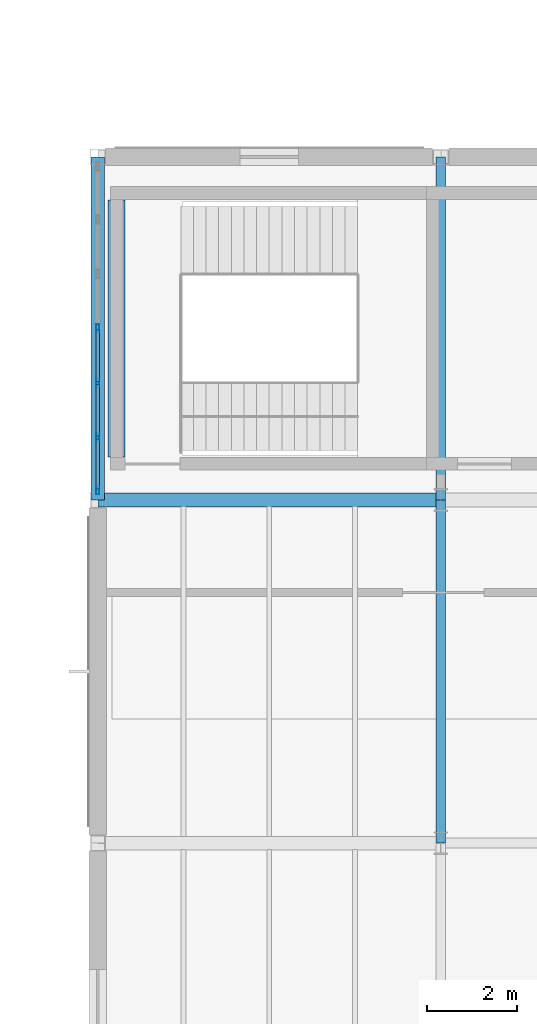
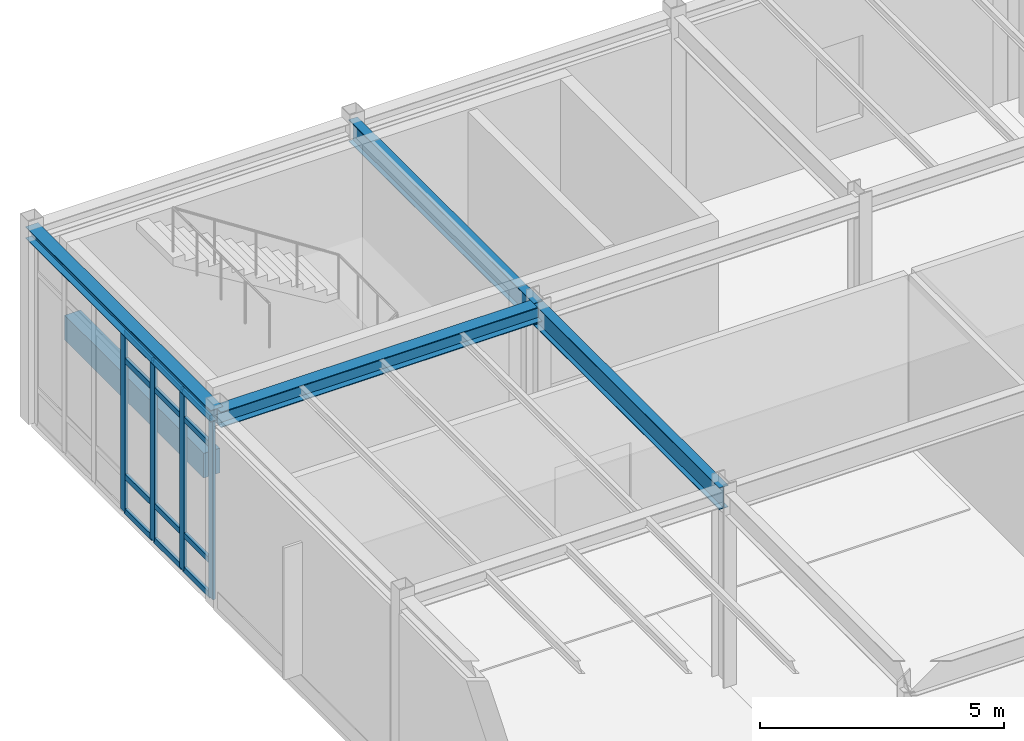
# One storey, part 51 of 109: 16 members, 5 beams, 1 element without a shape of its own.
"""IFC4 building model written with IfcOpenShell, lengths in metres."""

from ifc_helpers import new_model, si_unit, direction, frame, origin, origin_2d, place, context, subcontext, project, spatial, rectangle, hollow_rectangle, i_section, extrude, material, layer, layer_set, material_profile, profile_set, type_object, element, aggregate, save


model = new_model("IFC4")

# Units and contexts
model_context = context("Model", 3, precision=1e-05, world=origin(), true_north=direction((0.0, 1.0)))
body_context = subcontext(model_context, "Body", "Model", "MODEL_VIEW")
ifc_project = project(units=[si_unit("LENGTHUNIT", "METRE"), si_unit("AREAUNIT", "SQUARE_METRE"), si_unit("VOLUMEUNIT", "CUBIC_METRE"), si_unit("PLANEANGLEUNIT", "RADIAN"), si_unit("MASSUNIT", "GRAM", prefix="KILO")], contexts=[model_context])

# Site, building, storey
site_placement = place(None, origin())
site = spatial("IfcSite", under=ifc_project, at=site_placement, CompositionType="ELEMENT")
building_placement = place(site_placement, origin())
building = spatial("IfcBuilding", under=site, at=building_placement, Name="Montecoro Central Library", CompositionType="ELEMENT")
storey_placement = place(building_placement, origin())
storey = spatial("IfcBuildingStorey", under=building, at=storey_placement, Name="L00", CompositionType="ELEMENT", Elevation=0.0)

# Beams
ifc_material_1 = material(Name="Steel S355", Category="steel")
ifc_material_profile_1 = material_profile(ifc_material_1, i_section(OverallWidth=0.300048828125, OverallDepth=0.389892578125, WebThickness=0.010986328125, FlangeThickness=0.01904296875, at=origin_2d()), Name="HEA 400")
ifc_profile_set_1 = profile_set([ifc_material_profile_1], Name="Steel S355")
beam_type_1 = type_object("IfcBeamType", Name="BM-G-HEA400", PredefinedType="USERDEFINED", material=ifc_profile_set_1)
beam_1_placement = place(storey_placement, frame((5.0048828125, 103.800048828125, 4.64990234375), z_axis=(1.0, 0.0, 0.0), x_axis=(0.0, 1.0, 0.0)))
element("IfcBeam", 1, at=beam_1_placement, inside=storey, type_object=beam_type_1, Name="V4-L00-BX-12-P", ObjectType="GIRDER", PredefinedType="USERDEFINED", context=body_context, shape_type="SweptSolid", body=[
    extrude(i_section(OverallWidth=0.300048828125, OverallDepth=0.389892578125, WebThickness=0.010986328125, FlangeThickness=0.01904296875, at=origin_2d()), origin(), (0.0, 0.0, 1.0), 7.590087890625),
])
ifc_material_2 = material(Name="Steel S355J2", Category="steel")
ifc_material_profile_2 = material_profile(ifc_material_2, i_section(OverallWidth=0.2099609375, OverallDepth=0.550048828125, WebThickness=0.010986328125, FlangeThickness=0.01708984375, at=origin_2d()), Name="IPE 550")
ifc_profile_set_2 = profile_set([ifc_material_profile_2], Name="Steel S355J2")
beam_type_2 = type_object("IfcBeamType", Name="BM-G-IPE550", PredefinedType="USERDEFINED", material=ifc_profile_set_2)
beam_2_placement = place(storey_placement, frame((12.60009765625, 96.205078125, 4.570068359375), z_axis=(0.0, 1.0, 0.0), x_axis=(-1.0, 0.0, 0.0)))
element("IfcBeam", 2, at=beam_2_placement, inside=storey, type_object=beam_type_2, Name="V4-L00-BY-2-NP", ObjectType="GIRDER", PredefinedType="USERDEFINED", context=body_context, shape_type="SweptSolid", body=[
    extrude(i_section(OverallWidth=0.2099609375, OverallDepth=0.550048828125, WebThickness=0.010986328125, FlangeThickness=0.01708984375, at=origin_2d()), origin(), (0.0, 0.0, 1.0), 7.58984375),
])
beam_3_placement = place(storey_placement, frame((12.60009765625, 103.804931640625, 4.570068359375), z_axis=(0.0, 1.0, 0.0), x_axis=(-1.0, 0.0, 0.0)))
element("IfcBeam", 3, at=beam_3_placement, inside=storey, type_object=beam_type_2, Name="V4-L00-BY-2-PQ", ObjectType="GIRDER", PredefinedType="USERDEFINED", context=body_context, shape_type="SweptSolid", body=[
    extrude(i_section(OverallWidth=0.2099609375, OverallDepth=0.550048828125, WebThickness=0.010986328125, FlangeThickness=0.01708984375, at=origin_2d()), origin(), (0.0, 0.0, 1.0), 7.590087890625),
])
ifc_material_3 = material(Name="Concrete C35/45", Category="concrete")
ifc_material_profile_3 = material_profile(ifc_material_3, rectangle(XDim=0.3798828125, YDim=0.6201171875, at=origin_2d()), Name="RC LNT 620x380")
ifc_profile_set_3 = profile_set([ifc_material_profile_3], Name="Concrete C35/45")
beam_type_3 = type_object("IfcBeamType", Name="BM-LN-RC05", PredefinedType="LINTEL", material=ifc_profile_set_3)
beam_4_placement = place(storey_placement, frame((5.419921875, 104.75, 2.760009765625), z_axis=(0.0, 1.0, 0.0), x_axis=(-1.0, 0.0, 0.0)))
element("IfcBeam", 4, at=beam_4_placement, inside=storey, type_object=beam_type_3, Name="C5-L00-LNT", PredefinedType="LINTEL", context=body_context, shape_type="SweptSolid", body=[
    extrude(rectangle(XDim=0.3798828125, YDim=0.6201171875, at=origin_2d()), origin(), (0.0, 0.0, 1.0), 5.699951171875),
])
ifc_material_profile_4 = material_profile(ifc_material_1, i_section(OverallWidth=0.300048828125, OverallDepth=0.2900390625, WebThickness=0.008544921875, FlangeThickness=0.013916015625, at=origin_2d()), Name="HEA 300")
ifc_profile_set_4 = profile_set([ifc_material_profile_4], Name="Steel S355")
beam_type_4 = type_object("IfcBeamType", Name="BM-SP-HEA300", PredefinedType="SPANDREL", material=ifc_profile_set_4)
beam_5_placement = place(storey_placement, frame((5.0, 103.804931640625, 4.699951171875), z_axis=(0.0, 1.0, 0.0), x_axis=(-1.0, 0.0, 0.0)))
element("IfcBeam", 5, at=beam_5_placement, inside=storey, type_object=beam_type_4, Name="V4-L00-BY-1-PQ", PredefinedType="SPANDREL", context=body_context, shape_type="SweptSolid", body=[
    extrude(i_section(OverallWidth=0.300048828125, OverallDepth=0.2900390625, WebThickness=0.008544921875, FlangeThickness=0.013916015625, at=origin_2d()), origin(), (0.0, 0.0, 1.0), 7.590087890625),
])

# Curtain wall, members
ifc_material_4 = material(Name="Bronze-anodised aluminium and low-E glazing", Category="aluminium")
ifc_layer = layer(ifc_material_4, 0.159912109375)
ifc_layer_set = layer_set([ifc_layer], Name="Bronze-anodised aluminium and low-E glazing")
curtain_wall_type = type_object("IfcCurtainWallType", Name="CWT-041", PredefinedType="NOTDEFINED", material=ifc_layer_set)
curtain_wall_placement = place(storey_placement, origin())
curtain_wall = element("IfcCurtainWall", 6, at=curtain_wall_placement, inside=storey, type_object=curtain_wall_type, Name="V4-L00-CW-W4", PredefinedType="NOTDEFINED")
ifc_material_5 = material(Name="Bronze-anodised aluminium", Category="aluminium")
ifc_material_profile_5 = material_profile(ifc_material_5, hollow_rectangle(XDim=0.070068359375, YDim=0.179931640625, WallThickness=0.0048828125, at=origin_2d()), Name="CWM 180x70x5.0")
ifc_profile_set_5 = profile_set([ifc_material_profile_5], Name="Bronze-anodised aluminium")
member_type_1 = type_object("IfcMemberType", Name="CWM-BRZ-70", PredefinedType="MULLION", material=ifc_profile_set_5)
member_1_placement = place(storey_placement, frame((5.0, 107.60009765625, 0.0), z_axis=(0.0, 0.0, 1.0), x_axis=(1.0, 0.0, 0.0)))
member_1 = element("IfcMember", 7, at=member_1_placement, type_object=member_type_1, Name="CW-041 mullion 4", PredefinedType="MULLION", context=body_context, shape_type="SweptSolid", body=[
    extrude(hollow_rectangle(XDim=0.070068359375, YDim=0.179931640625, WallThickness=0.0048828125, at=origin_2d()), origin(), (0.0, 0.0, 1.0), 4.5),
])
member_2_placement = place(storey_placement, frame((5.0, 106.392578125, 0.0), z_axis=(0.0, 0.0, 1.0), x_axis=(1.0, 0.0, 0.0)))
member_2 = element("IfcMember", 8, at=member_2_placement, type_object=member_type_1, Name="CW-041 mullion 5", PredefinedType="MULLION", context=body_context, shape_type="SweptSolid", body=[
    extrude(hollow_rectangle(XDim=0.070068359375, YDim=0.179931640625, WallThickness=0.0048828125, at=origin_2d()), origin(), (0.0, 0.0, 1.0), 4.5),
])
member_3_placement = place(storey_placement, frame((5.0, 105.185302734375, 0.0), z_axis=(0.0, 0.0, 1.0), x_axis=(1.0, 0.0, 0.0)))
member_3 = element("IfcMember", 9, at=member_3_placement, type_object=member_type_1, Name="CW-041 mullion 6", PredefinedType="MULLION", context=body_context, shape_type="SweptSolid", body=[
    extrude(hollow_rectangle(XDim=0.070068359375, YDim=0.179931640625, WallThickness=0.0048828125, at=origin_2d()), origin(), (0.0, 0.0, 1.0), 4.5),
])
member_4_placement = place(storey_placement, frame((5.0, 104.012939453125, 0.0), z_axis=(0.0, 0.0, 1.0), x_axis=(1.0, 0.0, 0.0)))
member_4 = element("IfcMember", 10, at=member_4_placement, type_object=member_type_1, Name="CW-041 mullion 7", PredefinedType="MULLION", context=body_context, shape_type="SweptSolid", body=[
    extrude(hollow_rectangle(XDim=0.070068359375, YDim=0.179931640625, WallThickness=0.0048828125, at=origin_2d()), origin(), (0.0, 0.0, 1.0), 4.5),
])
ifc_material_profile_6 = material_profile(ifc_material_5, hollow_rectangle(XDim=0.070068359375, YDim=0.139892578125, WallThickness=0.00390625, at=origin_2d()), Name="CWT 140x70x4.0")
ifc_profile_set_6 = profile_set([ifc_material_profile_6], Name="Bronze-anodised aluminium")
member_type_2 = type_object("IfcMemberType", Name="CWT-BRZ-70", PredefinedType="USERDEFINED", material=ifc_profile_set_6)
member_5_placement = place(storey_placement, frame((5.0, 107.56494140625, 0.034912109375), z_axis=(0.0, -1.0, 0.0), x_axis=(1.0, 0.0, 0.0)))
member_5 = element("IfcMember", 11, at=member_5_placement, type_object=member_type_2, Name="CW-041 transom 4.1", ObjectType="TRANSOM", PredefinedType="USERDEFINED", context=body_context, shape_type="SweptSolid", body=[
    extrude(hollow_rectangle(XDim=0.070068359375, YDim=0.139892578125, WallThickness=0.00390625, at=origin_2d()), origin(), (0.0, 0.0, 1.0), 1.13720703125),
])
member_6_placement = place(storey_placement, frame((5.0, 107.56494140625, 0.89990234375), z_axis=(0.0, -1.0, 0.0), x_axis=(1.0, 0.0, 0.0)))
member_6 = element("IfcMember", 12, at=member_6_placement, type_object=member_type_2, Name="CW-041 transom 4.2", ObjectType="TRANSOM", PredefinedType="USERDEFINED", context=body_context, shape_type="SweptSolid", body=[
    extrude(hollow_rectangle(XDim=0.070068359375, YDim=0.139892578125, WallThickness=0.00390625, at=origin_2d()), origin(), (0.0, 0.0, 1.0), 1.13720703125),
])
member_7_placement = place(storey_placement, frame((5.0, 107.56494140625, 3.800048828125), z_axis=(0.0, -1.0, 0.0), x_axis=(1.0, 0.0, 0.0)))
member_7 = element("IfcMember", 13, at=member_7_placement, type_object=member_type_2, Name="CW-041 transom 4.3", ObjectType="TRANSOM", PredefinedType="USERDEFINED", context=body_context, shape_type="SweptSolid", body=[
    extrude(hollow_rectangle(XDim=0.070068359375, YDim=0.139892578125, WallThickness=0.00390625, at=origin_2d()), origin(), (0.0, 0.0, 1.0), 1.13720703125),
])
member_8_placement = place(storey_placement, frame((5.0, 107.56494140625, 4.465087890625), z_axis=(0.0, -1.0, 0.0), x_axis=(1.0, 0.0, 0.0)))
member_8 = element("IfcMember", 14, at=member_8_placement, type_object=member_type_2, Name="CW-041 transom 4.4", ObjectType="TRANSOM", PredefinedType="USERDEFINED", context=body_context, shape_type="SweptSolid", body=[
    extrude(hollow_rectangle(XDim=0.070068359375, YDim=0.139892578125, WallThickness=0.00390625, at=origin_2d()), origin(), (0.0, 0.0, 1.0), 1.13720703125),
])
member_9_placement = place(storey_placement, frame((5.0, 106.357666015625, 0.034912109375), z_axis=(0.0, -1.0, 0.0), x_axis=(1.0, 0.0, 0.0)))
member_9 = element("IfcMember", 15, at=member_9_placement, type_object=member_type_2, Name="CW-041 transom 5.1", ObjectType="TRANSOM", PredefinedType="USERDEFINED", context=body_context, shape_type="SweptSolid", body=[
    extrude(hollow_rectangle(XDim=0.070068359375, YDim=0.139892578125, WallThickness=0.00390625, at=origin_2d()), origin(), (0.0, 0.0, 1.0), 1.137451171875),
])
member_10_placement = place(storey_placement, frame((5.0, 106.357666015625, 0.89990234375), z_axis=(0.0, -1.0, 0.0), x_axis=(1.0, 0.0, 0.0)))
member_10 = element("IfcMember", 16, at=member_10_placement, type_object=member_type_2, Name="CW-041 transom 5.2", ObjectType="TRANSOM", PredefinedType="USERDEFINED", context=body_context, shape_type="SweptSolid", body=[
    extrude(hollow_rectangle(XDim=0.070068359375, YDim=0.139892578125, WallThickness=0.00390625, at=origin_2d()), origin(), (0.0, 0.0, 1.0), 1.137451171875),
])
member_11_placement = place(storey_placement, frame((5.0, 106.357666015625, 3.800048828125), z_axis=(0.0, -1.0, 0.0), x_axis=(1.0, 0.0, 0.0)))
member_11 = element("IfcMember", 17, at=member_11_placement, type_object=member_type_2, Name="CW-041 transom 5.3", ObjectType="TRANSOM", PredefinedType="USERDEFINED", context=body_context, shape_type="SweptSolid", body=[
    extrude(hollow_rectangle(XDim=0.070068359375, YDim=0.139892578125, WallThickness=0.00390625, at=origin_2d()), origin(), (0.0, 0.0, 1.0), 1.137451171875),
])
member_12_placement = place(storey_placement, frame((5.0, 106.357666015625, 4.465087890625), z_axis=(0.0, -1.0, 0.0), x_axis=(1.0, 0.0, 0.0)))
member_12 = element("IfcMember", 18, at=member_12_placement, type_object=member_type_2, Name="CW-041 transom 5.4", ObjectType="TRANSOM", PredefinedType="USERDEFINED", context=body_context, shape_type="SweptSolid", body=[
    extrude(hollow_rectangle(XDim=0.070068359375, YDim=0.139892578125, WallThickness=0.00390625, at=origin_2d()), origin(), (0.0, 0.0, 1.0), 1.137451171875),
])
member_13_placement = place(storey_placement, frame((5.0, 105.150390625, 0.034912109375), z_axis=(0.0, -1.0, 0.0), x_axis=(1.0, 0.0, 0.0)))
member_13 = element("IfcMember", 19, at=member_13_placement, type_object=member_type_2, Name="CW-041 transom 6.1", ObjectType="TRANSOM", PredefinedType="USERDEFINED", context=body_context, shape_type="SweptSolid", body=[
    extrude(hollow_rectangle(XDim=0.070068359375, YDim=0.139892578125, WallThickness=0.00390625, at=origin_2d()), origin(), (0.0, 0.0, 1.0), 1.102294921875),
])
member_14_placement = place(storey_placement, frame((5.0, 105.150390625, 0.89990234375), z_axis=(0.0, -1.0, 0.0), x_axis=(1.0, 0.0, 0.0)))
member_14 = element("IfcMember", 20, at=member_14_placement, type_object=member_type_2, Name="CW-041 transom 6.2", ObjectType="TRANSOM", PredefinedType="USERDEFINED", context=body_context, shape_type="SweptSolid", body=[
    extrude(hollow_rectangle(XDim=0.070068359375, YDim=0.139892578125, WallThickness=0.00390625, at=origin_2d()), origin(), (0.0, 0.0, 1.0), 1.102294921875),
])
member_15_placement = place(storey_placement, frame((5.0, 105.150390625, 3.800048828125), z_axis=(0.0, -1.0, 0.0), x_axis=(1.0, 0.0, 0.0)))
member_15 = element("IfcMember", 21, at=member_15_placement, type_object=member_type_2, Name="CW-041 transom 6.3", ObjectType="TRANSOM", PredefinedType="USERDEFINED", context=body_context, shape_type="SweptSolid", body=[
    extrude(hollow_rectangle(XDim=0.070068359375, YDim=0.139892578125, WallThickness=0.00390625, at=origin_2d()), origin(), (0.0, 0.0, 1.0), 1.102294921875),
])
member_16_placement = place(storey_placement, frame((5.0, 105.150390625, 4.465087890625), z_axis=(0.0, -1.0, 0.0), x_axis=(1.0, 0.0, 0.0)))
member_16 = element("IfcMember", 22, at=member_16_placement, type_object=member_type_2, Name="CW-041 transom 6.4", ObjectType="TRANSOM", PredefinedType="USERDEFINED", context=body_context, shape_type="SweptSolid", body=[
    extrude(hollow_rectangle(XDim=0.070068359375, YDim=0.139892578125, WallThickness=0.00390625, at=origin_2d()), origin(), (0.0, 0.0, 1.0), 1.102294921875),
])
aggregate(curtain_wall, [member_1, member_2, member_3, member_4, member_5, member_6, member_7, member_8, member_9, member_10, member_11, member_12, member_13, member_14, member_15, member_16])

save(model, "model.ifc")
